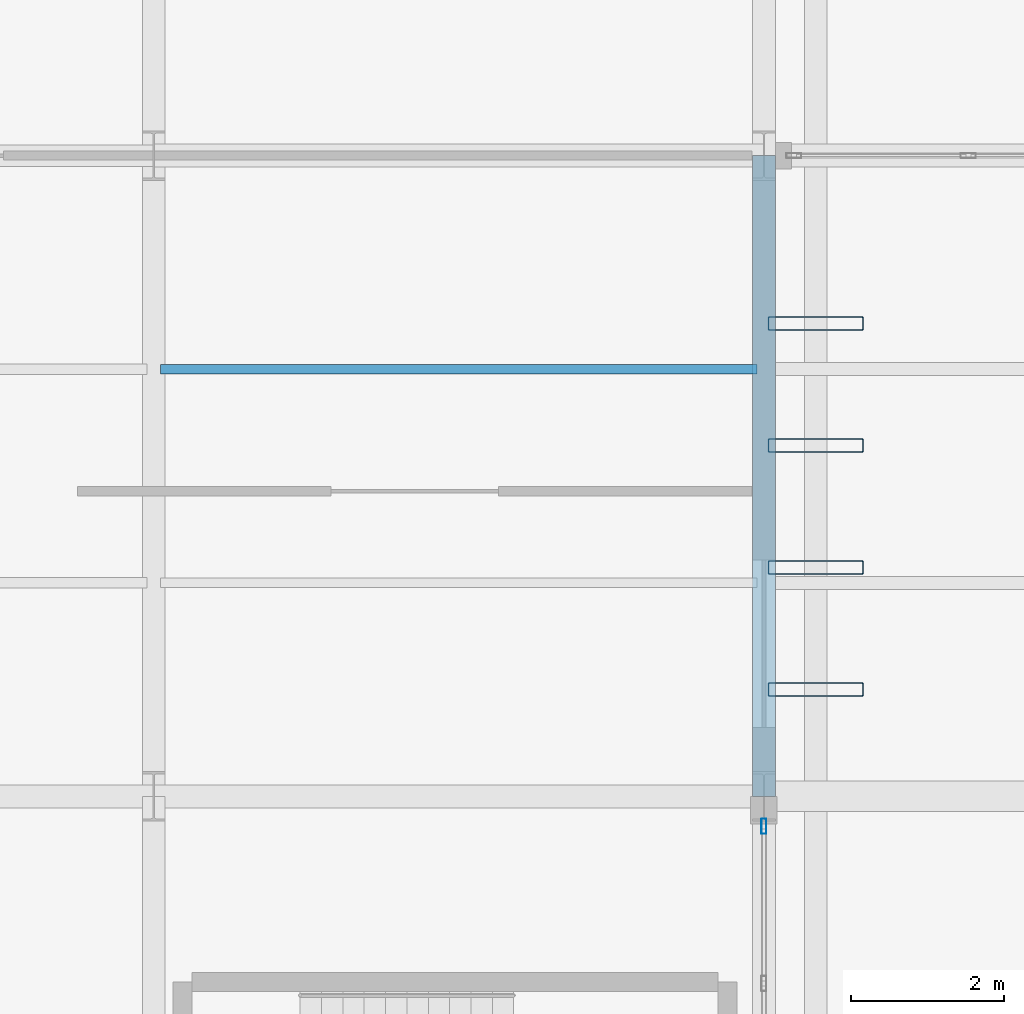
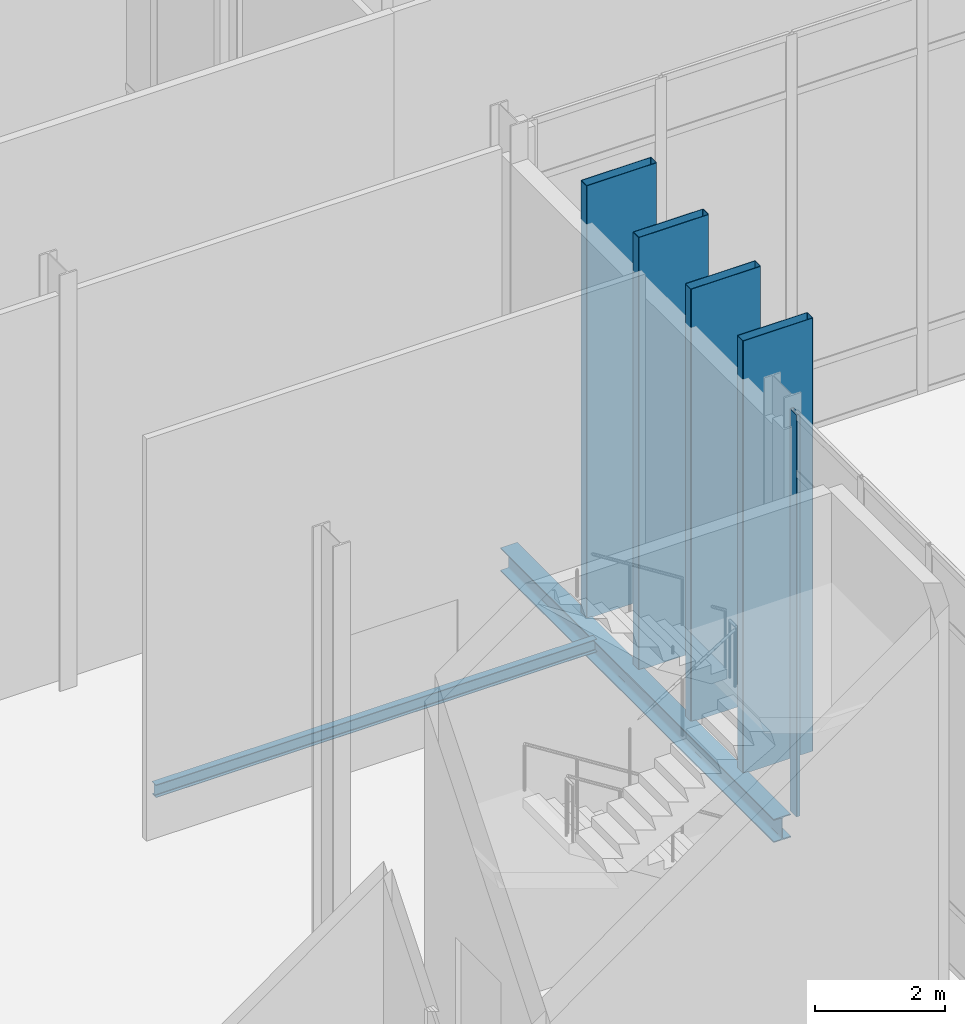
# One storey, part 93 of 176: 5 members, 2 beams, 1 element without a shape of its own.
"""IFC4 building model written with IfcOpenShell, lengths in metres."""

from ifc_helpers import new_model, si_unit, direction, frame, origin, origin_2d, place, context, subcontext, project, spatial, hollow_rectangle, i_section, extrude, material, layer, layer_set, material_profile, profile_set, type_object, element, aggregate, save


model = new_model("IFC4")

# Units and contexts
model_context = context("Model", 3, precision=1e-05, world=origin(), true_north=direction((0.0, 1.0)))
body_context = subcontext(model_context, "Body", "Model", "MODEL_VIEW")
ifc_project = project(units=[si_unit("LENGTHUNIT", "METRE"), si_unit("AREAUNIT", "SQUARE_METRE"), si_unit("VOLUMEUNIT", "CUBIC_METRE"), si_unit("PLANEANGLEUNIT", "RADIAN"), si_unit("MASSUNIT", "GRAM", prefix="KILO")], contexts=[model_context])

# Site, building, storey
site_placement = place(None, origin())
site = spatial("IfcSite", under=ifc_project, at=site_placement, CompositionType="ELEMENT")
building_placement = place(site_placement, origin())
building = spatial("IfcBuilding", under=site, at=building_placement, Name="Vekula Escarpment Museum", CompositionType="ELEMENT")
storey_placement = place(building_placement, origin())
storey = spatial("IfcBuildingStorey", under=building, at=storey_placement, Name="L01", CompositionType="ELEMENT", Elevation=0.0)

# Beams
ifc_material_1 = material(Name="Steel S355", Category="steel")
ifc_material_profile_1 = material_profile(ifc_material_1, i_section(OverallWidth=0.1201171875, OverallDepth=0.239990234375, WebThickness=0.006103515625, FlangeThickness=0.009765625, FilletRadius=0.014892578125, at=origin_2d()), Name="IPE 240")
ifc_profile_set_1 = profile_set([ifc_material_profile_1], Name="Steel S355")
beam_type_1 = type_object("IfcBeamType", Name="BM-JST-IPE240", PredefinedType="JOIST", material=ifc_profile_set_1)
beam_1_placement = place(storey_placement, frame((118.090087890625, 65.199951171875, -0.419921875), z_axis=(1.0, 0.0, 0.0), x_axis=(0.0, 1.0, 0.0)))
element("IfcBeam", 1, at=beam_1_placement, inside=storey, type_object=beam_type_1, Name="Secondary Joist L01 0396", PredefinedType="JOIST", context=body_context, shape_type="SweptSolid", body=[
    extrude(i_section(OverallWidth=0.1201171875, OverallDepth=0.239990234375, WebThickness=0.006103515625, FlangeThickness=0.009765625, FilletRadius=0.014892578125, at=origin_2d()), origin(), (0.0, 0.0, 1.0), 7.81982421875),
])
ifc_material_2 = material(Name="Steel S355", Category="steel")
ifc_material_profile_2 = material_profile(ifc_material_2, i_section(OverallWidth=0.300048828125, OverallDepth=0.43994140625, WebThickness=0.011474609375, FlangeThickness=0.02099609375, FilletRadius=0.027099609375, at=origin_2d()), Name="HEA 450")
ifc_profile_set_2 = profile_set([ifc_material_profile_2], Name="Steel S355")
beam_type_2 = type_object("IfcBeamType", Name="BM-SPAN-HEA450", PredefinedType="SPANDREL", material=ifc_profile_set_2)
beam_2_placement = place(storey_placement, frame((126.0, 59.60009765625, -0.52001953125), z_axis=(0.0, 1.0, 0.0), x_axis=(-1.0, 0.0, 0.0)))
element("IfcBeam", 2, at=beam_2_placement, inside=storey, type_object=beam_type_2, Name="Beam Y L01 0657", PredefinedType="SPANDREL", context=body_context, shape_type="SweptSolid", body=[
    extrude(i_section(OverallWidth=0.300048828125, OverallDepth=0.43994140625, WebThickness=0.011474609375, FlangeThickness=0.02099609375, FilletRadius=0.027099609375, at=origin_2d()), origin(), (0.0, 0.0, 1.0), 8.39990234375),
])

# Curtain wall, member
ifc_material_3 = material(Name="Aluminium thermally broken framing", Category="aluminium")
ifc_layer = layer(ifc_material_3, 0.159912109375)
ifc_layer_set = layer_set([ifc_layer], Name="Aluminium thermally broken framing")
curtain_wall_type = type_object("IfcCurtainWallType", Name="CW-SYS-01", PredefinedType="NOTDEFINED", material=ifc_layer_set)
curtain_wall_placement = place(storey_placement, origin())
curtain_wall = element("IfcCurtainWall", 3, at=curtain_wall_placement, inside=storey, type_object=curtain_wall_type, Name="Curtain Wall CW-L01-011", PredefinedType="NOTDEFINED")
ifc_material_4 = material(Name="Aluminium anodized mullion", Category="aluminium")
ifc_material_profile_3 = material_profile(ifc_material_4, hollow_rectangle(XDim=0.06494140625, YDim=0.199951171875, WallThickness=0.00390625, InnerFilletRadius=0.00390625, OuterFilletRadius=0.008056640625, at=origin_2d()), Name="ALU 200x65x4")
ifc_profile_set_3 = profile_set([ifc_material_profile_3], Name="Aluminium anodized mullion")
member_type_1 = type_object("IfcMemberType", Name="CW-MUL-200", PredefinedType="MULLION", material=ifc_profile_set_3)
member_placement = place(storey_placement, frame((126.0, 59.20751953125, 0.0), z_axis=(0.0, 0.0, 1.0), x_axis=(-1.0, 0.0, 0.0)))
member = element("IfcMember", 4, at=member_placement, type_object=member_type_1, Name="CW-01 mullion 4", PredefinedType="MULLION", context=body_context, shape_type="SweptSolid", body=[
    extrude(hollow_rectangle(XDim=0.06494140625, YDim=0.199951171875, WallThickness=0.00390625, InnerFilletRadius=0.00390625, OuterFilletRadius=0.008056640625, at=origin_2d()), origin(), (0.0, 0.0, 1.0), 7.5400390625),
])
aggregate(curtain_wall, [member])

# Members
ifc_material_5 = material(Name="Steel S355 weathered bronze solar fin", Category="steel")
ifc_material_profile_4 = material_profile(ifc_material_5, hollow_rectangle(XDim=0.179931640625, YDim=1.25, WallThickness=0.010009765625, InnerFilletRadius=0.010009765625, OuterFilletRadius=0.02001953125, at=origin_2d()), Name="RHS 1250x180x10")
ifc_profile_set_4 = profile_set([ifc_material_profile_4], Name="Steel S355 weathered bronze solar fin")
member_type_2 = type_object("IfcMemberType", Name="MB-SOLAR-FIN", PredefinedType="USERDEFINED", material=ifc_profile_set_4)
for number, where, z_axis, x_axis, name in (
    (5, (126.679931640625, 61.0, -0.320068359375), (0.0, 0.0, 1.0), (0.0, 1.0, 0.0), "Great Hall Vertical Solar Fin 0366"),
    (6, (126.679931640625, 62.60009765625, -0.320068359375), (0.0, 0.0, 1.0), (0.0, 1.0, 0.0), "Great Hall Vertical Solar Fin 0371"),
    (7, (126.679931640625, 64.199951171875, -0.320068359375), (0.0, 0.0, 1.0), (0.0, 1.0, 0.0), "Great Hall Vertical Solar Fin 0376"),
    (8, (126.679931640625, 65.800048828125, -0.320068359375), (0.0, 0.0, 1.0), (0.0, 1.0, 0.0), "Great Hall Vertical Solar Fin 0381"),
):
    element("IfcMember", number, at=place(storey_placement, frame(where, z_axis=z_axis, x_axis=x_axis)), inside=storey, type_object=member_type_2, Name=name, ObjectType="SOLAR FIN", PredefinedType="USERDEFINED", context=body_context, shape_type="SweptSolid", body=[
        extrude(hollow_rectangle(XDim=0.179931640625, YDim=1.25, WallThickness=0.010009765625, InnerFilletRadius=0.010009765625, OuterFilletRadius=0.02001953125, at=origin_2d()), origin(), (0.0, 0.0, 1.0), 8.1201171875),
    ])

save(model, "model.ifc")
